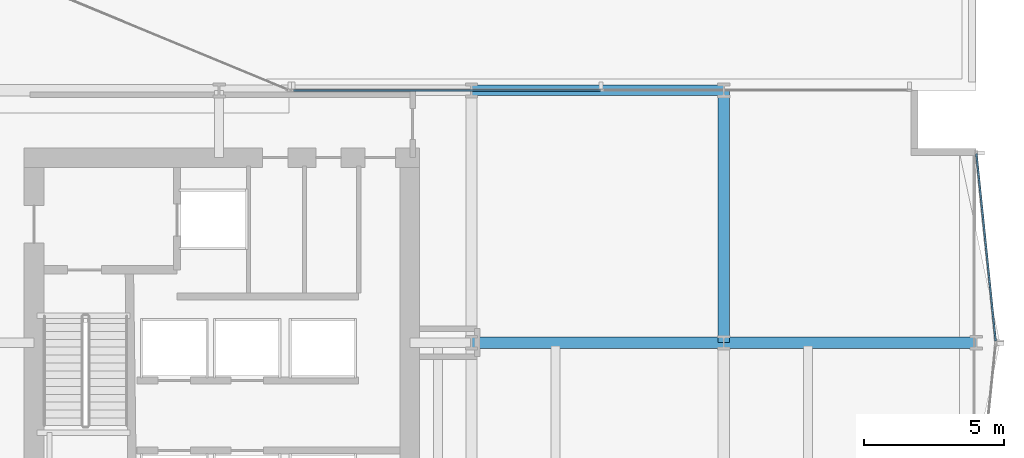
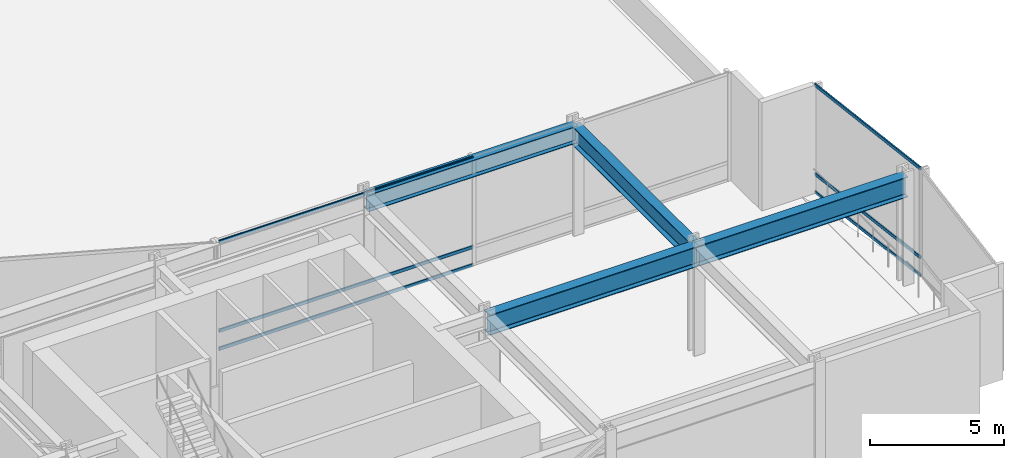
# One storey, part 14 of 37: 6 members, 4 beams, 2 elements without a shape of their own.
"""IFC4 building model written with IfcOpenShell, lengths in metres."""

from ifc_helpers import new_model, si_unit, direction, frame, origin, origin_2d, place, context, subcontext, project, spatial, hollow_rectangle, i_section, extrude, material, layer, layer_set, material_profile, profile_set, type_object, element, aggregate, save


model = new_model("IFC4")

# Units and contexts
model_context = context("Model", 3, precision=1e-05, world=origin(), true_north=direction((0.0, 1.0)))
body_context = subcontext(model_context, "Body", "Model", "MODEL_VIEW")
ifc_project = project(units=[si_unit("LENGTHUNIT", "METRE"), si_unit("AREAUNIT", "SQUARE_METRE"), si_unit("VOLUMEUNIT", "CUBIC_METRE"), si_unit("PLANEANGLEUNIT", "RADIAN"), si_unit("MASSUNIT", "GRAM", prefix="KILO")], contexts=[model_context])

# Site, building, storey
site_placement = place(None, origin())
site = spatial("IfcSite", under=ifc_project, at=site_placement, CompositionType="ELEMENT")
building_placement = place(site_placement, origin())
building = spatial("IfcBuilding", under=site, at=building_placement, Name="Solvaryn Broadcast Tower", CompositionType="ELEMENT")
storey_placement = place(building_placement, frame((0.0, 0.0, 30.800048828125)))
storey = spatial("IfcBuildingStorey", under=building, at=storey_placement, Name="L06", CompositionType="ELEMENT", Elevation=30.800048828125)

# Beams
ifc_material_1 = material(Name="Steel ASTM A992 Grade 50", Category="steel")
ifc_material_profile_1 = material_profile(ifc_material_1, i_section(OverallWidth=0.41796875, OverallDepth=0.927001953125, WebThickness=0.019287109375, FlangeThickness=0.031982421875, FilletRadius=0.02392578125, at=origin_2d()))
ifc_profile_set_1 = profile_set([ifc_material_profile_1], Name="Steel ASTM A992 Grade 50")
beam_type_1 = type_object("IfcBeamType", Name="BM-G2-W36X231", PredefinedType="BEAM", material=ifc_profile_set_1)
for number, where, z_axis, x_axis, name in (
    (1, (45.0, 18.0, 4.45654296875), (1.0, 0.0, 0.0), (0.0, 1.0, 0.0), "L06 Primary Beam X (45-54 @ Y=18)"),
    (2, (54.0, 18.0, 4.45654296875), (1.0, 0.0, 0.0), (0.0, 1.0, 0.0), "L06 Primary Beam X (54-63 @ Y=18)"),
):
    element("IfcBeam", number, at=place(storey_placement, frame(where, z_axis=z_axis, x_axis=x_axis)), inside=storey, type_object=beam_type_1, Name=name, PredefinedType="BEAM", context=body_context, shape_type="SweptSolid", body=[
        extrude(i_section(OverallWidth=0.41796875, OverallDepth=0.927001953125, WebThickness=0.019287109375, FlangeThickness=0.031982421875, FilletRadius=0.02392578125, at=origin_2d()), origin(), (0.0, 0.0, 1.0), 9.0),
    ])
ifc_material_2 = material(Name="Steel ASTM A992 Grade 50", Category="steel")
ifc_material_profile_2 = material_profile(ifc_material_2, i_section(OverallWidth=0.39990234375, OverallDepth=0.85498046875, WebThickness=0.018310546875, FlangeThickness=0.029296875, FilletRadius=0.02001953125, at=origin_2d()))
ifc_profile_set_2 = profile_set([ifc_material_profile_2], Name="Steel ASTM A992 Grade 50")
beam_type_2 = type_object("IfcBeamType", Name="BM-G3-W33X201", PredefinedType="BEAM", material=ifc_profile_set_2)
beam_1_placement = place(storey_placement, frame((54.0, 18.0, 4.492431640625), z_axis=(0.0, 1.0, 0.0), x_axis=(-1.0, 0.0, 0.0)))
element("IfcBeam", 3, at=beam_1_placement, inside=storey, type_object=beam_type_2, Name="L06 Primary Beam Y (18-27 @ X=54)", PredefinedType="BEAM", context=body_context, shape_type="SweptSolid", body=[
    extrude(i_section(OverallWidth=0.39990234375, OverallDepth=0.85498046875, WebThickness=0.018310546875, FlangeThickness=0.029296875, FilletRadius=0.02001953125, at=origin_2d()), origin(), (0.0, 0.0, 1.0), 9.0),
])
ifc_material_3 = material(Name="Steel ASTM A992 Grade 50", Category="steel")
ifc_material_profile_3 = material_profile(ifc_material_3, i_section(OverallWidth=0.381103515625, OverallDepth=0.77294921875, WebThickness=0.0166015625, FlangeThickness=0.027099609375, FilletRadius=0.01806640625, at=origin_2d()))
ifc_profile_set_3 = profile_set([ifc_material_profile_3], Name="Steel ASTM A992 Grade 50")
beam_type_3 = type_object("IfcBeamType", Name="BM-SP1-W30X173", PredefinedType="USERDEFINED", material=ifc_profile_set_3)
beam_2_placement = place(storey_placement, frame((45.0, 27.0, 4.533447265625), z_axis=(1.0, 0.0, 0.0), x_axis=(0.0, 1.0, 0.0)))
element("IfcBeam", 4, at=beam_2_placement, inside=storey, type_object=beam_type_3, Name="L06 Spandrel Beam X (45-54 @ Y=27)", ObjectType="SPANDREL", PredefinedType="USERDEFINED", context=body_context, shape_type="SweptSolid", body=[
    extrude(i_section(OverallWidth=0.381103515625, OverallDepth=0.77294921875, WebThickness=0.0166015625, FlangeThickness=0.027099609375, FilletRadius=0.01806640625, at=origin_2d()), origin(), (0.0, 0.0, 1.0), 9.0),
])

# Curtain wall, members
ifc_material_4 = material(Name="Aluminium and Terracotta Unitised Curtain Wall", Category="masonry")
ifc_layer = layer(ifc_material_4, 0.199951171875)
ifc_layer_set = layer_set([ifc_layer], Name="CW-SYS2-LOWMID")
curtain_wall_type = type_object("IfcCurtainWallType", Name="CW-SYS2-LOWMID", PredefinedType="NOTDEFINED", material=ifc_layer_set)
curtain_wall_1_placement = place(storey_placement, origin())
curtain_wall_1 = element("IfcCurtainWall", 5, at=curtain_wall_1_placement, inside=storey, type_object=curtain_wall_type, Name="L06 Curtain Wall ET1", PredefinedType="NOTDEFINED")
ifc_material_5 = material(Name="Anodised Aluminium 6063-T6", Category="aluminium")
ifc_material_profile_4 = material_profile(ifc_material_5, hollow_rectangle(XDim=0.06494140625, YDim=0.14990234375, WallThickness=0.00390625, InnerFilletRadius=0.00390625, OuterFilletRadius=0.008056640625, at=origin_2d()))
ifc_profile_set_4 = profile_set([ifc_material_profile_4], Name="Anodised Aluminium 6063-T6")
member_type = type_object("IfcMemberType", Name="CW-TRN-150", PredefinedType="USERDEFINED", material=ifc_profile_set_4)
member_1_placement = place(storey_placement, frame((63.006103515625, 24.740234375, 0.030029296875), z_axis=(0.102404277363, -0.994742863245, 0.0), x_axis=(0.994742863245, 0.102404277363, 0.0)))
member_1 = element("IfcMember", 6, at=member_1_placement, type_object=member_type, Name="CWS2 transom 1.1", ObjectType="TRANSOM", PredefinedType="USERDEFINED", context=body_context, shape_type="SweptSolid", body=[
    extrude(hollow_rectangle(XDim=0.06494140625, YDim=0.14990234375, WallThickness=0.00390625, InnerFilletRadius=0.00390625, OuterFilletRadius=0.008056640625, at=origin_2d()), origin(), (0.0, 0.0, 1.0), 6.716064453125),
])
member_2_placement = place(storey_placement, frame((63.006103515625, 24.740234375, 0.849853515625), z_axis=(0.102404277363, -0.994742863245, 0.0), x_axis=(0.994742863245, 0.102404277363, 0.0)))
member_2 = element("IfcMember", 7, at=member_2_placement, type_object=member_type, Name="CWS2 transom 1.2", ObjectType="TRANSOM", PredefinedType="USERDEFINED", context=body_context, shape_type="SweptSolid", body=[
    extrude(hollow_rectangle(XDim=0.06494140625, YDim=0.14990234375, WallThickness=0.00390625, InnerFilletRadius=0.00390625, OuterFilletRadius=0.008056640625, at=origin_2d()), origin(), (0.0, 0.0, 1.0), 6.716064453125),
])
member_3_placement = place(storey_placement, frame((63.006103515625, 24.740234375, 4.889892578125), z_axis=(0.102404277363, -0.994742863245, 0.0), x_axis=(0.994742863245, 0.102404277363, 0.0)))
member_3 = element("IfcMember", 8, at=member_3_placement, type_object=member_type, Name="CWS2 transom 1.3", ObjectType="TRANSOM", PredefinedType="USERDEFINED", context=body_context, shape_type="SweptSolid", body=[
    extrude(hollow_rectangle(XDim=0.06494140625, YDim=0.14990234375, WallThickness=0.00390625, InnerFilletRadius=0.00390625, OuterFilletRadius=0.008056640625, at=origin_2d()), origin(), (0.0, 0.0, 1.0), 6.716064453125),
])
aggregate(curtain_wall_1, [member_1, member_2, member_3])

curtain_wall_2_placement = place(storey_placement, origin())
curtain_wall_2 = element("IfcCurtainWall", 9, at=curtain_wall_2_placement, inside=storey, type_object=curtain_wall_type, Name="L06 Curtain Wall IH", PredefinedType="NOTDEFINED")
member_4_placement = place(storey_placement, frame((38.659912109375, 27.0, 0.030029296875), z_axis=(1.0, 0.0, 0.0), x_axis=(0.0, 1.0, 0.0)))
member_4 = element("IfcMember", 10, at=member_4_placement, type_object=member_type, Name="CWS2 transom 1.1", ObjectType="TRANSOM", PredefinedType="USERDEFINED", context=body_context, shape_type="SweptSolid", body=[
    extrude(hollow_rectangle(XDim=0.06494140625, YDim=0.14990234375, WallThickness=0.00390625, InnerFilletRadius=0.00390625, OuterFilletRadius=0.008056640625, at=origin_2d()), origin(), (0.0, 0.0, 1.0), 10.93505859375),
])
member_5_placement = place(storey_placement, frame((38.659912109375, 27.0, 0.849853515625), z_axis=(1.0, 0.0, 0.0), x_axis=(0.0, 1.0, 0.0)))
member_5 = element("IfcMember", 11, at=member_5_placement, type_object=member_type, Name="CWS2 transom 1.2", ObjectType="TRANSOM", PredefinedType="USERDEFINED", context=body_context, shape_type="SweptSolid", body=[
    extrude(hollow_rectangle(XDim=0.06494140625, YDim=0.14990234375, WallThickness=0.00390625, InnerFilletRadius=0.00390625, OuterFilletRadius=0.008056640625, at=origin_2d()), origin(), (0.0, 0.0, 1.0), 10.93505859375),
])
member_6_placement = place(storey_placement, frame((38.659912109375, 27.0, 4.889892578125), z_axis=(1.0, 0.0, 0.0), x_axis=(0.0, 1.0, 0.0)))
member_6 = element("IfcMember", 12, at=member_6_placement, type_object=member_type, Name="CWS2 transom 1.3", ObjectType="TRANSOM", PredefinedType="USERDEFINED", context=body_context, shape_type="SweptSolid", body=[
    extrude(hollow_rectangle(XDim=0.06494140625, YDim=0.14990234375, WallThickness=0.00390625, InnerFilletRadius=0.00390625, OuterFilletRadius=0.008056640625, at=origin_2d()), origin(), (0.0, 0.0, 1.0), 10.93505859375),
])
aggregate(curtain_wall_2, [member_4, member_5, member_6])

save(model, "model.ifc")
